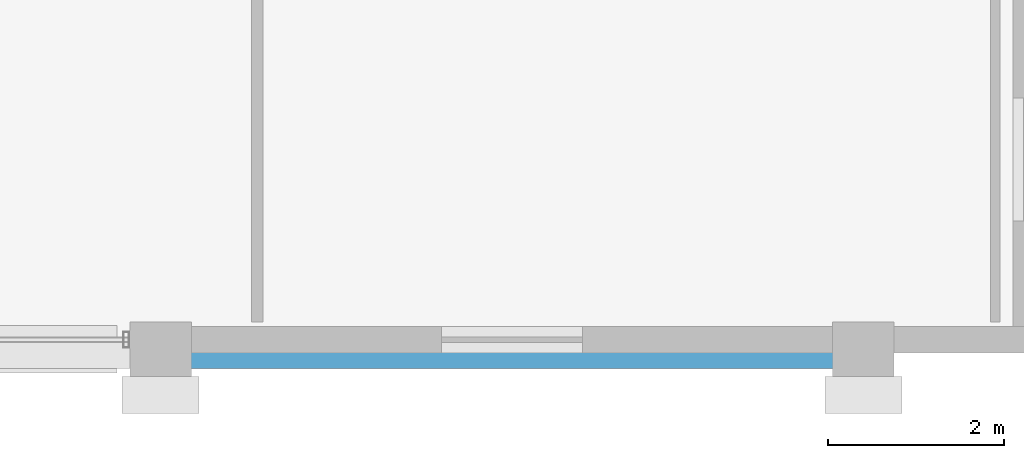
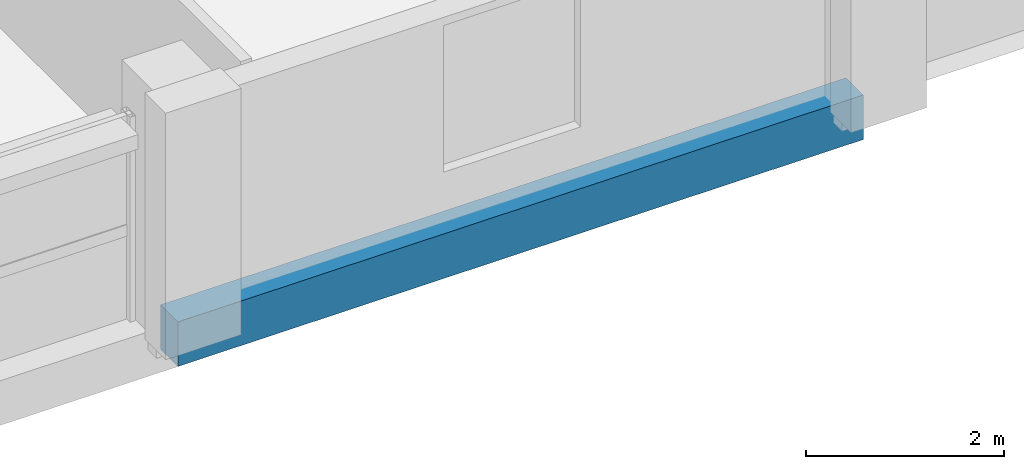
# One storey, part 10 of 24: 1 beam.
"""IFC4 building model written with IfcOpenShell, lengths in metres."""

from ifc_helpers import new_model, si_unit, direction, frame, origin, origin_2d, place, context, subcontext, project, spatial, rectangle, extrude, material, material_profile, profile_set, type_object, element, save


model = new_model("IFC4")

# Units and contexts
model_context = context("Model", 3, precision=1e-05, world=origin(), true_north=direction((0.0, 1.0)))
body_context = subcontext(model_context, "Body", "Model", "MODEL_VIEW")
ifc_project = project(units=[si_unit("LENGTHUNIT", "METRE"), si_unit("AREAUNIT", "SQUARE_METRE"), si_unit("VOLUMEUNIT", "CUBIC_METRE"), si_unit("PLANEANGLEUNIT", "RADIAN"), si_unit("MASSUNIT", "GRAM", prefix="KILO")], contexts=[model_context])

# Site, building, storey
site_placement = place(None, origin())
site = spatial("IfcSite", under=ifc_project, at=site_placement, CompositionType="ELEMENT")
building_placement = place(site_placement, origin())
building = spatial("IfcBuilding", under=site, at=building_placement, Name="Akrevak Sports Hall", CompositionType="ELEMENT")
storey_placement = place(building_placement, frame((0.0, 0.0, 56.800048828125)))
storey = spatial("IfcBuildingStorey", under=building, at=storey_placement, Name="L14", CompositionType="ELEMENT", Elevation=56.800048828125)

# Beam
ifc_material = material(Name="Concrete C40/50", Category="concrete")
ifc_material_profile = material_profile(ifc_material, rectangle(XDim=0.35009765625, YDim=0.550048828125, at=origin_2d()), Name="BM 350x550", Category="concrete")
ifc_profile_set = profile_set([ifc_material_profile], Name="Concrete C40/50")
beam_type = type_object("IfcBeamType", Name="STR-BM-RC350x550", PredefinedType="BEAM", material=ifc_profile_set)
beam_placement = place(storey_placement, frame((92.0, 35.39990234375, -0.275146484375), z_axis=(1.0, 0.0, 0.0), x_axis=(0.0, 1.0, 0.0)))
element("IfcBeam", 1, at=beam_placement, inside=storey, type_object=beam_type, Name="Girder F/13-14 (L14)", PredefinedType="BEAM", context=body_context, shape_type="SweptSolid", body=[
    extrude(rectangle(XDim=0.35009765625, YDim=0.550048828125, at=origin_2d()), origin(), (0.0, 0.0, 1.0), 8.0),
])

save(model, "model.ifc")
